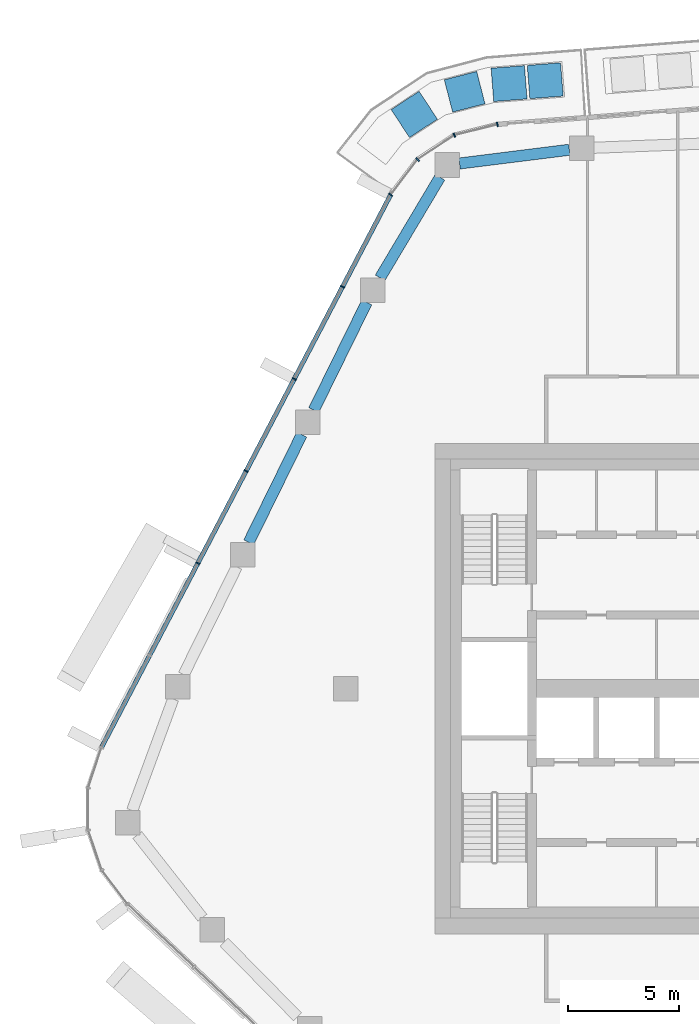
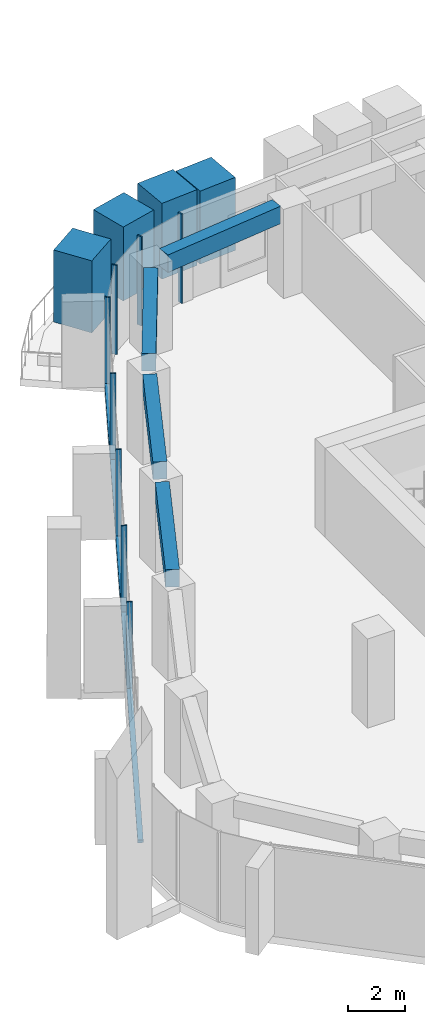
# One storey, part 6 of 20: 13 members, 4 beams, 2 elements without a shape of their own.
"""IFC4 building model written with IfcOpenShell, lengths in metres."""

from ifc_helpers import new_model, si_unit, direction, frame, origin, origin_2d, place, context, subcontext, project, spatial, rectangle, extrude, material, layer, layer_set, material_profile, profile_set, type_object, element, aggregate, save


model = new_model("IFC4")

# Units and contexts
model_context = context("Model", 3, precision=1e-05, world=origin(), true_north=direction((0.0, 1.0)))
body_context = subcontext(model_context, "Body", "Model", "MODEL_VIEW")
ifc_project = project(units=[si_unit("LENGTHUNIT", "METRE"), si_unit("AREAUNIT", "SQUARE_METRE"), si_unit("VOLUMEUNIT", "CUBIC_METRE"), si_unit("PLANEANGLEUNIT", "RADIAN"), si_unit("MASSUNIT", "GRAM", prefix="KILO")], contexts=[model_context])

# Site, building, storey
site_placement = place(None, origin())
site = spatial("IfcSite", under=ifc_project, at=site_placement, CompositionType="ELEMENT")
building_placement = place(site_placement, origin())
building = spatial("IfcBuilding", under=site, at=building_placement, Name="Dongbaek Canopy Tower", CompositionType="ELEMENT")
storey_placement = place(building_placement, frame((0.0, 0.0, 241.199951171875)))
storey = spatial("IfcBuildingStorey", under=building, at=storey_placement, Name="L50", CompositionType="ELEMENT", Elevation=241.199951171875)

# Curtain wall, members
ifc_material_1 = material(Name="Aluminium 6063-T6 pale anodised", Category="aluminium")
ifc_layer = layer(ifc_material_1, 0.199951171875)
ifc_layer_set = layer_set([ifc_layer], Name="CW-1 unitised tower curtain wall")
curtain_wall_type = type_object("IfcCurtainWallType", Name="CW-1 unitised tower curtain wall", PredefinedType="NOTDEFINED", material=ifc_layer_set)
curtain_wall_1_placement = place(storey_placement, origin())
curtain_wall_1 = element("IfcCurtainWall", 1, at=curtain_wall_1_placement, inside=storey, type_object=curtain_wall_type, Name="CW-1 curtain wall K2.1", PredefinedType="NOTDEFINED")
ifc_material_2 = material(Name="Aluminium 6063-T6 pale anodised", Category="aluminium")
ifc_material_profile_1 = material_profile(ifc_material_2, rectangle(XDim=0.199951171875, YDim=0.06005859375, at=origin_2d()), Name="CW-1 mullion 60 x 200")
ifc_profile_set_1 = profile_set([ifc_material_profile_1], Name="Aluminium 6063-T6 pale anodised")
member_type_1 = type_object("IfcMemberType", Name="CW-1 mullion 60 x 200", PredefinedType="MULLION", material=ifc_profile_set_1)
member_1_placement = place(storey_placement, frame((-11.193603515625, 25.3134765625, 0.0), z_axis=(0.0, 0.0, 1.0), x_axis=(-0.242823602331, 0.970070460405, 0.0)))
member_1 = element("IfcMember", 2, at=member_1_placement, type_object=member_type_1, Name="CW-1 mullion K2.1.1", PredefinedType="MULLION", context=body_context, shape_type="SweptSolid", body=[
    extrude(rectangle(XDim=0.199951171875, YDim=0.06005859375, at=origin_2d()), origin(), (0.0, 0.0, 1.0), 3.820068359375),
])
member_2_placement = place(storey_placement, frame((-13.123291015625, 24.830322265625, 0.0), z_axis=(0.0, 0.0, 1.0), x_axis=(-0.40223606789, 0.9155359882, 0.0)))
member_2 = element("IfcMember", 3, at=member_2_placement, type_object=member_type_1, Name="CW-1 mullion K2.1.2", PredefinedType="MULLION", context=body_context, shape_type="SweptSolid", body=[
    extrude(rectangle(XDim=0.199951171875, YDim=0.06005859375, at=origin_2d()), origin(), (0.0, 0.0, 1.0), 3.820068359375),
])
member_3_placement = place(storey_placement, frame((-14.77685546875, 23.74072265625, 0.0), z_axis=(0.0, 0.0, 1.0), x_axis=(-0.68260594491, 0.730786647369, 0.0)))
member_3 = element("IfcMember", 4, at=member_3_placement, type_object=member_type_1, Name="CW-1 mullion K2.1.3", PredefinedType="MULLION", context=body_context, shape_type="SweptSolid", body=[
    extrude(rectangle(XDim=0.199951171875, YDim=0.06005859375, at=origin_2d()), origin(), (0.0, 0.0, 1.0), 3.820068359375),
])
member_4_placement = place(storey_placement, frame((-15.98193359375, 22.158203125, 0.0), z_axis=(0.0, 0.0, 1.0), x_axis=(-0.795604680933, 0.605816136858, 0.0)))
member_4 = element("IfcMember", 5, at=member_4_placement, type_object=member_type_1, Name="CW-1 mullion K2.1.4", PredefinedType="MULLION", context=body_context, shape_type="SweptSolid", body=[
    extrude(rectangle(XDim=0.199951171875, YDim=0.06005859375, at=origin_2d()), origin(), (0.0, 0.0, 1.0), 3.820068359375),
])
aggregate(curtain_wall_1, [member_1, member_2, member_3, member_4])

curtain_wall_2_placement = place(storey_placement, origin())
curtain_wall_2 = element("IfcCurtainWall", 6, at=curtain_wall_2_placement, inside=storey, type_object=curtain_wall_type, Name="CW-1 curtain wall F2.1", PredefinedType="NOTDEFINED")
member_5_placement = place(storey_placement, frame((-18.14208984375, 18.030029296875, 0.1201171875), z_axis=(0.0, 0.0, 1.0), x_axis=(-0.886019109709, 0.463648721803, 0.0)))
member_5 = element("IfcMember", 7, at=member_5_placement, type_object=member_type_1, Name="CW-1 mullion F2.1.2", PredefinedType="MULLION", context=body_context, shape_type="SweptSolid", body=[
    extrude(rectangle(XDim=0.199951171875, YDim=0.06005859375, at=origin_2d()), origin(), (0.0, 0.0, 1.0), 3.699951171875),
])
member_6_placement = place(storey_placement, frame((-20.306396484375, 13.89453125, 0.1201171875), z_axis=(0.0, 0.0, 1.0), x_axis=(-0.886019109709, 0.463648721803, 0.0)))
member_6 = element("IfcMember", 8, at=member_6_placement, type_object=member_type_1, Name="CW-1 mullion F2.1.3", PredefinedType="MULLION", context=body_context, shape_type="SweptSolid", body=[
    extrude(rectangle(XDim=0.199951171875, YDim=0.06005859375, at=origin_2d()), origin(), (0.0, 0.0, 1.0), 3.699951171875),
])
member_7_placement = place(storey_placement, frame((-22.470458984375, 9.759033203125, 0.1201171875), z_axis=(0.0, 0.0, 1.0), x_axis=(-0.886019109709, 0.463648721803, 0.0)))
member_7 = element("IfcMember", 9, at=member_7_placement, type_object=member_type_1, Name="CW-1 mullion F2.1.4", PredefinedType="MULLION", context=body_context, shape_type="SweptSolid", body=[
    extrude(rectangle(XDim=0.199951171875, YDim=0.06005859375, at=origin_2d()), origin(), (0.0, 0.0, 1.0), 3.699951171875),
])
member_8_placement = place(storey_placement, frame((-24.634521484375, 5.623291015625, 0.1201171875), z_axis=(0.0, 0.0, 1.0), x_axis=(-0.886019109709, 0.463648721803, 0.0)))
member_8 = element("IfcMember", 10, at=member_8_placement, type_object=member_type_1, Name="CW-1 mullion F2.1.5", PredefinedType="MULLION", context=body_context, shape_type="SweptSolid", body=[
    extrude(rectangle(XDim=0.199951171875, YDim=0.06005859375, at=origin_2d()), origin(), (0.0, 0.0, 1.0), 3.699951171875),
])
ifc_material_3 = material(Name="Aluminium 6063-T6 pale anodised", Category="aluminium")
ifc_material_profile_2 = material_profile(ifc_material_3, rectangle(XDim=0.199951171875, YDim=0.1201171875, at=origin_2d()), Name="CW-1 transom 120 x 200")
ifc_profile_set_2 = profile_set([ifc_material_profile_2], Name="Aluminium 6063-T6 pale anodised")
member_type_2 = type_object("IfcMemberType", Name="CW-1 transom 120 x 200", PredefinedType="USERDEFINED", material=ifc_profile_set_2)
member_9_placement = place(storey_placement, frame((-15.98193359375, 22.158203125, 0.06005859375), z_axis=(-0.463647772678, -0.88601960638, 0.0), x_axis=(0.88601960638, -0.463647772678, 0.0)))
member_9 = element("IfcMember", 11, at=member_9_placement, type_object=member_type_2, Name="CW-1 transom F2.1.1", ObjectType="TRANSOM", PredefinedType="USERDEFINED", context=body_context, shape_type="SweptSolid", body=[
    extrude(rectangle(XDim=0.199951171875, YDim=0.1201171875, at=origin_2d()), origin(), (0.0, 0.0, 1.0), 27.989013671875),
])
aggregate(curtain_wall_2, [member_5, member_6, member_7, member_8, member_9])

# Beams
ifc_material_4 = material(Name="Concrete C70", Category="concrete")
ifc_material_profile_3 = material_profile(ifc_material_4, rectangle(XDim=0.5, YDim=0.75, at=origin_2d()), Name="RC EDGE BEAM 500x750 C70")
ifc_profile_set_3 = profile_set([ifc_material_profile_3], Name="Concrete C70")
beam_type = type_object("IfcBeamType", Name="RC EDGE BEAM 500x750 C70", PredefinedType="BEAM", material=ifc_profile_set_3)
beam_1_placement = place(storey_placement, frame((-22.350341796875, 6.56103515625, 3.445068359375), z_axis=(0.441366916234, 0.897326721576, 0.0), x_axis=(-0.897326721576, 0.441366916234, 0.0)))
element("IfcBeam", 12, at=beam_1_placement, inside=storey, type_object=beam_type, Name="EDGEBEAM:L50:10", PredefinedType="BEAM", context=body_context, shape_type="SweptSolid", body=[
    extrude(rectangle(XDim=0.5, YDim=0.75, at=origin_2d()), origin(), (0.0, 0.0, 1.0), 5.38720703125),
])
beam_2_placement = place(storey_placement, frame((-19.431396484375, 12.4951171875, 3.445068359375), z_axis=(0.441347181793, 0.89733642806, 0.0), x_axis=(-0.89733642806, 0.441347181793, 0.0)))
element("IfcBeam", 13, at=beam_2_placement, inside=storey, type_object=beam_type, Name="EDGEBEAM:L50:11", PredefinedType="BEAM", context=body_context, shape_type="SweptSolid", body=[
    extrude(rectangle(XDim=0.5, YDim=0.75, at=origin_2d()), origin(), (0.0, 0.0, 1.0), 5.3857421875),
])
beam_3_placement = place(storey_placement, frame((-16.45654296875, 18.427978515625, 3.445068359375), z_axis=(0.511587639318, 0.85923110238, 0.0), x_axis=(-0.85923110238, 0.511587639318, 0.0)))
element("IfcBeam", 14, at=beam_3_placement, inside=storey, type_object=beam_type, Name="EDGEBEAM:L50:12", PredefinedType="BEAM", context=body_context, shape_type="SweptSolid", body=[
    extrude(rectangle(XDim=0.5, YDim=0.75, at=origin_2d()), origin(), (0.0, 0.0, 1.0), 5.252197265625),
])
beam_4_placement = place(storey_placement, frame((-12.89208984375, 23.5595703125, 3.445068359375), z_axis=(0.992305840698, 0.123810817446, 0.0), x_axis=(-0.123810817446, 0.992305840698, 0.0)))
element("IfcBeam", 15, at=beam_4_placement, inside=storey, type_object=beam_type, Name="EDGEBEAM:L50:13", PredefinedType="BEAM", context=body_context, shape_type="SweptSolid", body=[
    extrude(rectangle(XDim=0.5, YDim=0.75, at=origin_2d()), origin(), (0.0, 0.0, 1.0), 4.965087890625),
])

# Members
ifc_material_5 = material(Name="Concrete C40/50 planter mass with planting", Category="concrete")
ifc_material_profile_4 = material_profile(ifc_material_5, rectangle(XDim=1.5, YDim=1.5, at=origin_2d()), Name="Terrace PLANTER shrub mass 1500 x 1500")
ifc_profile_set_4 = profile_set([ifc_material_profile_4], Name="Concrete C40/50 planter mass with planting")
member_type_3 = type_object("IfcMemberType", Name="Terrace PLANTER shrub mass 1500 x 1500", PredefinedType="USERDEFINED", material=ifc_profile_set_4)
member_10_placement = place(storey_placement, frame((-9.048095703125, 27.271728515625, 0.420166015625), z_axis=(0.0, 0.0, 1.0), x_axis=(-0.078359237905, 0.996925187682, 0.0)))
element("IfcMember", 16, at=member_10_placement, inside=storey, type_object=member_type_3, Name="Planter shrubs L50 7.1", ObjectType="PLANTER", PredefinedType="USERDEFINED", context=body_context, shape_type="SweptSolid", body=[
    extrude(rectangle(XDim=1.5, YDim=1.5, at=origin_2d()), origin(), (0.0, 0.0, 1.0), 3.1298828125),
])
member_11_placement = place(storey_placement, frame((-10.669677734375, 27.144287109375, 0.420166015625), z_axis=(0.0, 0.0, 1.0), x_axis=(-0.078359237905, 0.996925187682, 0.0)))
element("IfcMember", 17, at=member_11_placement, inside=storey, type_object=member_type_3, Name="Planter shrubs L50 7.2", ObjectType="PLANTER", PredefinedType="USERDEFINED", context=body_context, shape_type="SweptSolid", body=[
    extrude(rectangle(XDim=1.5, YDim=1.5, at=origin_2d()), origin(), (0.0, 0.0, 1.0), 3.25),
])
member_12_placement = place(storey_placement, frame((-12.662109375, 26.775634765625, 0.420166015625), z_axis=(0.0, 0.0, 1.0), x_axis=(-0.24996276351, 0.968255450209, 0.0)))
element("IfcMember", 18, at=member_12_placement, inside=storey, type_object=member_type_3, Name="Planter shrubs L50 7.3", ObjectType="PLANTER", PredefinedType="USERDEFINED", context=body_context, shape_type="SweptSolid", body=[
    extrude(rectangle(XDim=1.5, YDim=1.5, at=origin_2d()), origin(), (0.0, 0.0, 1.0), 3.169921875),
])
member_13_placement = place(storey_placement, frame((-14.921875, 25.76025390625, 0.420166015625), z_axis=(0.0, 0.0, 1.0), x_axis=(-0.550230522525, 0.835012797556, 0.0)))
element("IfcMember", 19, at=member_13_placement, inside=storey, type_object=member_type_3, Name="Planter shrubs L50 7.4", ObjectType="PLANTER", PredefinedType="USERDEFINED", context=body_context, shape_type="SweptSolid", body=[
    extrude(rectangle(XDim=1.5, YDim=1.5, at=origin_2d()), origin(), (0.0, 0.0, 1.0), 3.08984375),
])

save(model, "model.ifc")
